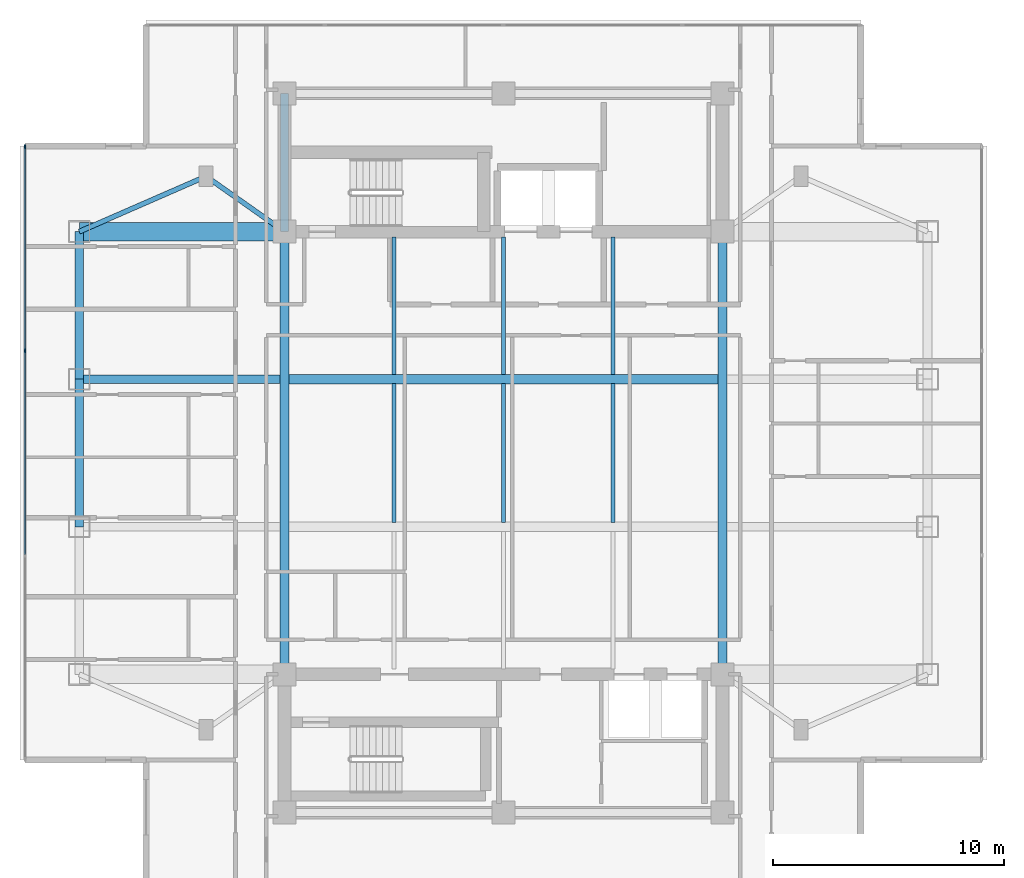
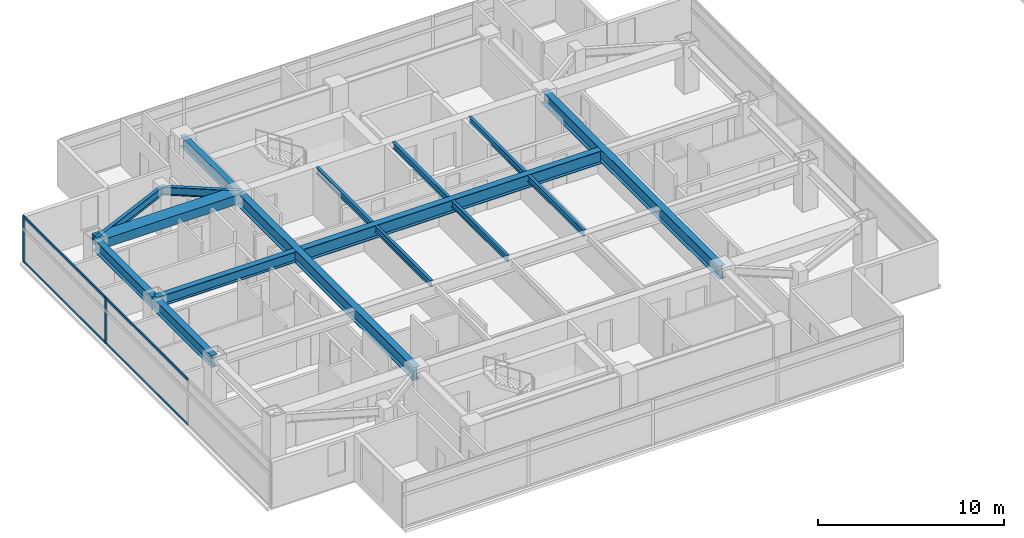
# One storey, part 3 of 24: 16 beams, 6 members, 1 element without a shape of its own.
"""IFC4 building model written with IfcOpenShell, lengths in metres."""

from ifc_helpers import new_model, si_unit, direction, frame, origin, origin_2d, place, context, subcontext, project, spatial, rectangle, i_section, extrude, material, material_profile, profile_set, type_object, element, aggregate, save


model = new_model("IFC4")

# Units and contexts
model_context = context("Model", 3, precision=1e-05, world=origin(), true_north=direction((0.0, 1.0)))
body_context = subcontext(model_context, "Body", "Model", "MODEL_VIEW")
ifc_project = project(units=[si_unit("LENGTHUNIT", "METRE"), si_unit("AREAUNIT", "SQUARE_METRE"), si_unit("VOLUMEUNIT", "CUBIC_METRE"), si_unit("PLANEANGLEUNIT", "RADIAN"), si_unit("MASSUNIT", "GRAM", prefix="KILO")], contexts=[model_context])

# Site, building, storey
site_placement = place(None, origin())
site = spatial("IfcSite", under=ifc_project, at=site_placement, CompositionType="ELEMENT")
building_placement = place(site_placement, origin())
building = spatial("IfcBuilding", under=site, at=building_placement, Name="Mirazonda Arch Towers", CompositionType="ELEMENT")
storey_placement = place(building_placement, frame((0.0, 0.0, 167.39990234375)))
storey = spatial("IfcBuildingStorey", under=building, at=storey_placement, Name="L47", CompositionType="ELEMENT", Elevation=167.39990234375)

# Beams
ifc_material_1 = material(Name="Steel ASTM A992 Grade 50", Category="steel")
ifc_material_profile_1 = material_profile(ifc_material_1, i_section(OverallWidth=0.381103515625, OverallDepth=0.77294921875, WebThickness=0.0166015625, FlangeThickness=0.027099609375, at=origin_2d()), Name="W30X173")
ifc_profile_set_1 = profile_set([ifc_material_profile_1], Name="Steel ASTM A992 Grade 50")
beam_type_1 = type_object("IfcBeamType", Name="BM-EXT-W30X173", PredefinedType="USERDEFINED", material=ifc_profile_set_1)
beam_1_placement = place(storey_placement, frame((2.10009765625, 24.800048828125, 2.66357421875), z_axis=(0.0, 1.0, 0.0), x_axis=(-1.0, 0.0, 0.0)))
element("IfcBeam", 1, at=beam_1_placement, inside=storey, type_object=beam_type_1, Name="L47 Floor Beam BM-T1-L47-NS-W-24", ObjectType="GIRDER", PredefinedType="USERDEFINED", context=body_context, shape_type="SweptSolid", body=[
    extrude(i_section(OverallWidth=0.381103515625, OverallDepth=0.77294921875, WebThickness=0.0166015625, FlangeThickness=0.027099609375, at=origin_2d()), origin(), (0.0, 0.0, 1.0), 6.39990234375),
])
beam_2_placement = place(storey_placement, frame((2.10009765625, 31.199951171875, 2.66357421875), z_axis=(0.0, 1.0, 0.0), x_axis=(-1.0, 0.0, 0.0)))
element("IfcBeam", 2, at=beam_2_placement, inside=storey, type_object=beam_type_1, Name="L47 Floor Beam BM-T1-L47-NS-W-31", ObjectType="GIRDER", PredefinedType="USERDEFINED", context=body_context, shape_type="SweptSolid", body=[
    extrude(i_section(OverallWidth=0.381103515625, OverallDepth=0.77294921875, WebThickness=0.0166015625, FlangeThickness=0.027099609375, at=origin_2d()), origin(), (0.0, 0.0, 1.0), 6.400146484375),
])
ifc_material_profile_2 = material_profile(ifc_material_1, i_section(OverallWidth=0.180908203125, OverallDepth=0.4169921875, WebThickness=0.010986328125, FlangeThickness=0.018310546875, at=origin_2d()), Name="W16X57")
ifc_profile_set_2 = profile_set([ifc_material_profile_2], Name="Steel ASTM A992 Grade 50")
beam_type_2 = type_object("IfcBeamType", Name="BM-INT-W16X57", PredefinedType="JOIST", material=ifc_profile_set_2)
beam_3_placement = place(storey_placement, frame((15.75, 31.39599609375, 2.841552734375), z_axis=(0.0, 1.0, 0.0), x_axis=(-1.0, 0.0, 0.0)))
element("IfcBeam", 3, at=beam_3_placement, inside=storey, type_object=beam_type_2, Name="L47 Floor Beam BM-T1-L47-J-157-31", PredefinedType="JOIST", context=body_context, shape_type="SweptSolid", body=[
    extrude(i_section(OverallWidth=0.180908203125, OverallDepth=0.4169921875, WebThickness=0.010986328125, FlangeThickness=0.018310546875, at=origin_2d()), origin(), (0.0, 0.0, 1.0), 5.964111328125),
])
beam_4_placement = place(storey_placement, frame((15.75, 24.99609375, 2.841552734375), z_axis=(0.0, 1.0, 0.0), x_axis=(-1.0, 0.0, 0.0)))
element("IfcBeam", 4, at=beam_4_placement, inside=storey, type_object=beam_type_2, Name="L47 Floor Beam BM-T1-L47-J-157-24", PredefinedType="JOIST", context=body_context, shape_type="SweptSolid", body=[
    extrude(i_section(OverallWidth=0.180908203125, OverallDepth=0.4169921875, WebThickness=0.010986328125, FlangeThickness=0.018310546875, at=origin_2d()), origin(), (0.0, 0.0, 1.0), 6.0078125),
])
beam_5_placement = place(storey_placement, frame((20.5, 31.39599609375, 2.841552734375), z_axis=(0.0, 1.0, 0.0), x_axis=(-1.0, 0.0, 0.0)))
element("IfcBeam", 5, at=beam_5_placement, inside=storey, type_object=beam_type_2, Name="L47 Floor Beam BM-T1-L47-J-205-31", PredefinedType="JOIST", context=body_context, shape_type="SweptSolid", body=[
    extrude(i_section(OverallWidth=0.180908203125, OverallDepth=0.4169921875, WebThickness=0.010986328125, FlangeThickness=0.018310546875, at=origin_2d()), origin(), (0.0, 0.0, 1.0), 5.964111328125),
])
beam_6_placement = place(storey_placement, frame((20.5, 24.99609375, 2.841552734375), z_axis=(0.0, 1.0, 0.0), x_axis=(-1.0, 0.0, 0.0)))
element("IfcBeam", 6, at=beam_6_placement, inside=storey, type_object=beam_type_2, Name="L47 Floor Beam BM-T1-L47-J-205-24", PredefinedType="JOIST", context=body_context, shape_type="SweptSolid", body=[
    extrude(i_section(OverallWidth=0.180908203125, OverallDepth=0.4169921875, WebThickness=0.010986328125, FlangeThickness=0.018310546875, at=origin_2d()), origin(), (0.0, 0.0, 1.0), 6.0078125),
])
beam_7_placement = place(storey_placement, frame((25.25, 31.39599609375, 2.841552734375), z_axis=(0.0, 1.0, 0.0), x_axis=(-1.0, 0.0, 0.0)))
element("IfcBeam", 7, at=beam_7_placement, inside=storey, type_object=beam_type_2, Name="L47 Floor Beam BM-T1-L47-J-252-31", PredefinedType="JOIST", context=body_context, shape_type="SweptSolid", body=[
    extrude(i_section(OverallWidth=0.180908203125, OverallDepth=0.4169921875, WebThickness=0.010986328125, FlangeThickness=0.018310546875, at=origin_2d()), origin(), (0.0, 0.0, 1.0), 5.964111328125),
])
beam_8_placement = place(storey_placement, frame((25.25, 24.99609375, 2.841552734375), z_axis=(0.0, 1.0, 0.0), x_axis=(-1.0, 0.0, 0.0)))
element("IfcBeam", 8, at=beam_8_placement, inside=storey, type_object=beam_type_2, Name="L47 Floor Beam BM-T1-L47-J-252-24", PredefinedType="JOIST", context=body_context, shape_type="SweptSolid", body=[
    extrude(i_section(OverallWidth=0.180908203125, OverallDepth=0.4169921875, WebThickness=0.010986328125, FlangeThickness=0.018310546875, at=origin_2d()), origin(), (0.0, 0.0, 1.0), 6.0078125),
])
ifc_material_profile_3 = material_profile(ifc_material_1, i_section(OverallWidth=0.214111328125, OverallDepth=0.549072265625, WebThickness=0.0146484375, FlangeThickness=0.023681640625, at=origin_2d()), Name="W21X93")
ifc_profile_set_3 = profile_set([ifc_material_profile_3], Name="Steel ASTM A992 Grade 50")
beam_type_3 = type_object("IfcBeamType", Name="BM-INT-W21X93", PredefinedType="BEAM", material=ifc_profile_set_3)
beam_9_placement = place(storey_placement, frame((7.60009765625, 40.0, 2.775634765625), z_axis=(0.816971114901, -0.576678591087, 0.0), x_axis=(0.576678591087, 0.816971114901, 0.0)))
element("IfcBeam", 9, at=beam_9_placement, inside=storey, type_object=beam_type_3, Name="L47 Floor Beam BM-T1-L47-PL-NW1", PredefinedType="BEAM", context=body_context, shape_type="SweptSolid", body=[
    extrude(i_section(OverallWidth=0.214111328125, OverallDepth=0.549072265625, WebThickness=0.0146484375, FlangeThickness=0.023681640625, at=origin_2d()), origin(), (0.0, 0.0, 1.0), 4.16162109375),
])
beam_10_placement = place(storey_placement, frame((7.60009765625, 40.0, 2.775634765625), z_axis=(-0.916545343703, -0.399930785183, 0.0), x_axis=(0.399930785183, -0.916545343703, 0.0)))
element("IfcBeam", 10, at=beam_10_placement, inside=storey, type_object=beam_type_3, Name="L47 Floor Beam BM-T1-L47-PL-NW2", PredefinedType="BEAM", context=body_context, shape_type="SweptSolid", body=[
    extrude(i_section(OverallWidth=0.214111328125, OverallDepth=0.549072265625, WebThickness=0.0146484375, FlangeThickness=0.023681640625, at=origin_2d()), origin(), (0.0, 0.0, 1.0), 6.000732421875),
])
ifc_material_profile_4 = material_profile(ifc_material_1, i_section(OverallWidth=0.35498046875, OverallDepth=0.696044921875, WebThickness=0.015380859375, FlangeThickness=0.02490234375, at=origin_2d()), Name="W27X146")
ifc_profile_set_4 = profile_set([ifc_material_profile_4], Name="Steel ASTM A992 Grade 50")
beam_type_4 = type_object("IfcBeamType", Name="BM-INT-W27X146", PredefinedType="BEAM", material=ifc_profile_set_4)
beam_11_placement = place(storey_placement, frame((2.10009765625, 31.199951171875, 2.7021484375), z_axis=(1.0, 0.0, 0.0), x_axis=(0.0, 1.0, 0.0)))
element("IfcBeam", 11, at=beam_11_placement, inside=storey, type_object=beam_type_4, Name="L47 Floor Beam BM-T1-L47-GW3", PredefinedType="BEAM", context=body_context, shape_type="SweptSolid", body=[
    extrude(i_section(OverallWidth=0.35498046875, OverallDepth=0.696044921875, WebThickness=0.015380859375, FlangeThickness=0.02490234375, at=origin_2d()), origin(), (0.0, 0.0, 1.0), 8.699951171875),
])
beam_12_placement = place(storey_placement, frame((11.0, 37.60009765625, 2.7021484375), z_axis=(0.0, 1.0, 0.0), x_axis=(-1.0, 0.0, 0.0)))
element("IfcBeam", 12, at=beam_12_placement, inside=storey, type_object=beam_type_4, Name="L47 Floor Beam BM-T1-L47-CNW", PredefinedType="BEAM", context=body_context, shape_type="SweptSolid", body=[
    extrude(i_section(OverallWidth=0.35498046875, OverallDepth=0.696044921875, WebThickness=0.015380859375, FlangeThickness=0.02490234375, at=origin_2d()), origin(), (0.0, 0.0, 1.0), 6.0),
])
ifc_material_profile_5 = material_profile(ifc_material_1, i_section(OverallWidth=0.39990234375, OverallDepth=0.85595703125, WebThickness=0.018310546875, FlangeThickness=0.029296875, at=origin_2d()), Name="W33X201")
ifc_profile_set_5 = profile_set([ifc_material_profile_5], Name="Steel ASTM A992 Grade 50")
beam_type_5 = type_object("IfcBeamType", Name="BM-INT-W33X201", PredefinedType="USERDEFINED", material=ifc_profile_set_5)
beam_13_placement = place(storey_placement, frame((11.199951171875, 31.199951171875, 2.6220703125), z_axis=(1.0, 0.0, 0.0), x_axis=(0.0, 1.0, 0.0)))
element("IfcBeam", 13, at=beam_13_placement, inside=storey, type_object=beam_type_5, Name="L47 Floor Beam BM-T1-L47-GC3", ObjectType="GIRDER", PredefinedType="USERDEFINED", context=body_context, shape_type="SweptSolid", body=[
    extrude(i_section(OverallWidth=0.39990234375, OverallDepth=0.85595703125, WebThickness=0.018310546875, FlangeThickness=0.029296875, at=origin_2d()), origin(), (0.0, 0.0, 1.0), 18.60009765625),
])
for number, where, z_axis, x_axis, name in (
    (14, (11.0, 18.39990234375, 2.6220703125), (0.0, 1.0, 0.0), (-1.0, 0.0, 0.0), "L47 Floor Beam BM-T1-L47-NS-CW-FULL"),
    (15, (30.0, 18.39990234375, 2.6220703125), (0.0, 1.0, 0.0), (-1.0, 0.0, 0.0), "L47 Floor Beam BM-T1-L47-NS-CE-FULL"),
):
    element("IfcBeam", number, at=place(storey_placement, frame(where, z_axis=z_axis, x_axis=x_axis)), inside=storey, type_object=beam_type_5, Name=name, ObjectType="GIRDER", PredefinedType="USERDEFINED", context=body_context, shape_type="SweptSolid", body=[
        extrude(i_section(OverallWidth=0.39990234375, OverallDepth=0.85595703125, WebThickness=0.018310546875, FlangeThickness=0.029296875, at=origin_2d()), origin(), (0.0, 0.0, 1.0), 19.2001953125),
    ])
ifc_material_2 = material(Name="Concrete C60/75", Category="concrete")
ifc_material_profile_6 = material_profile(ifc_material_2, rectangle(XDim=0.800048828125, YDim=0.60009765625, at=origin_2d()), Name="RCCB800x600")
ifc_profile_set_6 = profile_set([ifc_material_profile_6], Name="Concrete C60/75")
beam_type_6 = type_object("IfcBeamType", Name="CB-INT-RCCB800x600", PredefinedType="SPANDREL", material=ifc_profile_set_6)
beam_14_placement = place(storey_placement, frame((2.10009765625, 37.60009765625, 2.75), z_axis=(1.0, 0.0, 0.0), x_axis=(0.0, 1.0, 0.0)))
element("IfcBeam", 16, at=beam_14_placement, inside=storey, type_object=beam_type_6, Name="L47 Floor Beam CBC-T1-L47-NW", PredefinedType="SPANDREL", context=body_context, shape_type="SweptSolid", body=[
    extrude(rectangle(XDim=0.800048828125, YDim=0.60009765625, at=origin_2d()), origin(), (0.0, 0.0, 1.0), 8.89990234375),
])

# Curtain wall, members
ifc_material_3 = material(Name="Anodised Aluminium and Low-E Glass", Category="aluminium")
curtain_wall_type = type_object("IfcCurtainWallType", Name="CW-RES-UNIT", PredefinedType="NOTDEFINED", material=ifc_material_3)
curtain_wall_placement = place(storey_placement, origin())
curtain_wall = element("IfcCurtainWall", 17, at=curtain_wall_placement, inside=storey, type_object=curtain_wall_type, Name="L47 T1 W Facade CW-L47-T1-W", PredefinedType="NOTDEFINED")
ifc_material_4 = material(Name="Anodised Aluminium Alloy", Category="aluminium")
ifc_material_profile_7 = material_profile(ifc_material_4, rectangle(XDim=0.074951171875, YDim=0.175048828125, at=origin_2d()), Name="ALU-MULL-75x175")
ifc_profile_set_7 = profile_set([ifc_material_profile_7], Name="Anodised Aluminium Alloy")
member_type_1 = type_object("IfcMemberType", Name="MULL-CW-RES-UNIT", PredefinedType="MULLION", material=ifc_profile_set_7)
member_1_placement = place(storey_placement, frame((-0.25, 41.279541015625, 0.0), z_axis=(0.0, 0.0, 1.0), x_axis=(1.0, 0.0, 0.0)))
member_1 = element("IfcMember", 18, at=member_1_placement, type_object=member_type_1, Name="CW-104 mullion 1", PredefinedType="MULLION", context=body_context, shape_type="SweptSolid", body=[
    extrude(rectangle(XDim=0.074951171875, YDim=0.175048828125, at=origin_2d()), origin(), (0.0, 0.0, 1.0), 3.030029296875),
])
member_2_placement = place(storey_placement, frame((-0.25, 32.43896484375, 0.0), z_axis=(0.0, 0.0, 1.0), x_axis=(1.0, 0.0, 0.0)))
member_2 = element("IfcMember", 19, at=member_2_placement, type_object=member_type_1, Name="CW-104 mullion 2", PredefinedType="MULLION", context=body_context, shape_type="SweptSolid", body=[
    extrude(rectangle(XDim=0.074951171875, YDim=0.175048828125, at=origin_2d()), origin(), (0.0, 0.0, 1.0), 3.030029296875),
])
ifc_material_profile_8 = material_profile(ifc_material_4, rectangle(XDim=0.074951171875, YDim=0.155029296875, at=origin_2d()), Name="ALU-TRAN-75x155")
ifc_profile_set_8 = profile_set([ifc_material_profile_8], Name="Anodised Aluminium Alloy")
member_type_2 = type_object("IfcMemberType", Name="TRAN-CW-RES-UNIT", PredefinedType="USERDEFINED", material=ifc_profile_set_8)
member_3_placement = place(storey_placement, frame((-0.25, 41.241943359375, 0.03759765625), z_axis=(0.0, -1.0, 0.0), x_axis=(1.0, 0.0, 0.0)))
member_3 = element("IfcMember", 20, at=member_3_placement, type_object=member_type_2, Name="CW-104 transom 1.1", ObjectType="TRANSOM", PredefinedType="USERDEFINED", context=body_context, shape_type="SweptSolid", body=[
    extrude(rectangle(XDim=0.074951171875, YDim=0.155029296875, at=origin_2d()), origin(), (0.0, 0.0, 1.0), 8.765380859375),
])
member_4_placement = place(storey_placement, frame((-0.25, 41.241943359375, 2.99267578125), z_axis=(0.0, -1.0, 0.0), x_axis=(1.0, 0.0, 0.0)))
member_4 = element("IfcMember", 21, at=member_4_placement, type_object=member_type_2, Name="CW-104 transom 1.2", ObjectType="TRANSOM", PredefinedType="USERDEFINED", context=body_context, shape_type="SweptSolid", body=[
    extrude(rectangle(XDim=0.074951171875, YDim=0.155029296875, at=origin_2d()), origin(), (0.0, 0.0, 1.0), 8.765380859375),
])
member_5_placement = place(storey_placement, frame((-0.25, 32.401611328125, 0.03759765625), z_axis=(0.0, -1.0, 0.0), x_axis=(1.0, 0.0, 0.0)))
member_5 = element("IfcMember", 22, at=member_5_placement, type_object=member_type_2, Name="CW-104 transom 2.1", ObjectType="TRANSOM", PredefinedType="USERDEFINED", context=body_context, shape_type="SweptSolid", body=[
    extrude(rectangle(XDim=0.074951171875, YDim=0.155029296875, at=origin_2d()), origin(), (0.0, 0.0, 1.0), 8.80322265625),
])
member_6_placement = place(storey_placement, frame((-0.25, 32.401611328125, 2.99267578125), z_axis=(0.0, -1.0, 0.0), x_axis=(1.0, 0.0, 0.0)))
member_6 = element("IfcMember", 23, at=member_6_placement, type_object=member_type_2, Name="CW-104 transom 2.2", ObjectType="TRANSOM", PredefinedType="USERDEFINED", context=body_context, shape_type="SweptSolid", body=[
    extrude(rectangle(XDim=0.074951171875, YDim=0.155029296875, at=origin_2d()), origin(), (0.0, 0.0, 1.0), 8.80322265625),
])
aggregate(curtain_wall, [member_1, member_2, member_3, member_4, member_5, member_6])

save(model, "model.ifc")
